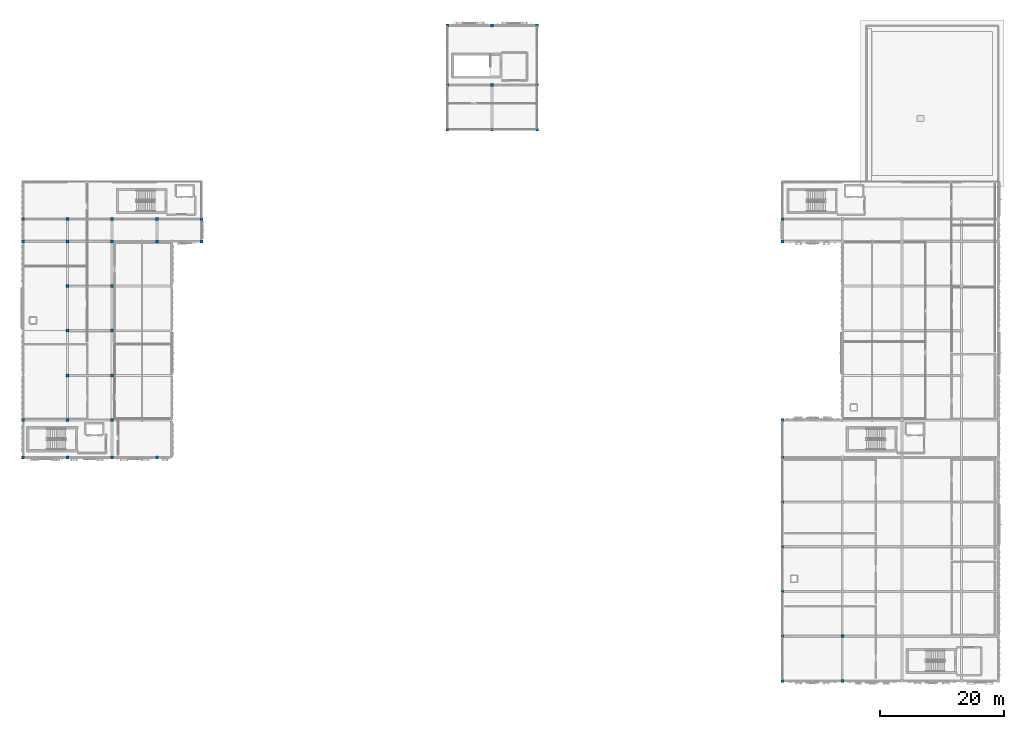
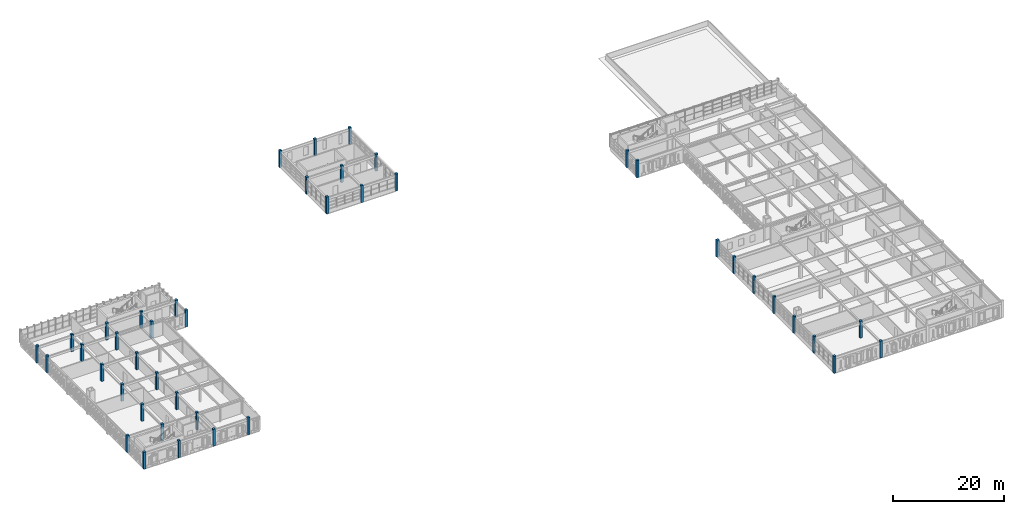
# One storey, part 1 of 53: 43 columns.
"""IFC4 building model written with IfcOpenShell, lengths in metres."""

from ifc_helpers import new_model, si_unit, direction, frame, origin, origin_2d, place, context, subcontext, project, spatial, rectangle, extrude, material, material_profile, profile_set, type_object, element, save


model = new_model("IFC4")

# Units and contexts
model_context = context("Model", 3, precision=1e-05, world=origin(), true_north=direction((0.0, 1.0)))
body_context = subcontext(model_context, "Body", "Model", "MODEL_VIEW")
ifc_project = project(units=[si_unit("LENGTHUNIT", "METRE"), si_unit("AREAUNIT", "SQUARE_METRE"), si_unit("VOLUMEUNIT", "CUBIC_METRE"), si_unit("PLANEANGLEUNIT", "RADIAN"), si_unit("MASSUNIT", "GRAM", prefix="KILO")], contexts=[model_context])

# Site, building, storey
site_placement = place(None, origin())
site = spatial("IfcSite", under=ifc_project, at=site_placement, CompositionType="ELEMENT")
building_placement = place(site_placement, origin())
building = spatial("IfcBuilding", under=site, at=building_placement, Name="Nzembalo Square Collegiate School", CompositionType="ELEMENT")
storey_placement = place(building_placement, frame((0.0, 0.0, 13.60009765625)))
storey = spatial("IfcBuildingStorey", under=building, at=storey_placement, Name="L03", CompositionType="ELEMENT", Elevation=13.60009765625)

# Columns
ifc_material = material(Name="Glulam GL28h", Category="wood")
ifc_material_profile = material_profile(ifc_material, rectangle(XDim=0.47998046875, YDim=0.47998046875, at=origin_2d()), Name="GL28h 480x480")
ifc_profile_set = profile_set([ifc_material_profile], Name="Glulam GL28h")
column_type = type_object("IfcColumnType", Name="C05", PredefinedType="COLUMN", material=ifc_profile_set)
for number, where, z_axis, x_axis, name in (
    (1, (76.800048828125, 97.199951171875, 0.0), (0.0, 0.0, 1.0), (1.0, 0.0, 0.0), "Column C05 L03 12/O"),
    (2, (76.800048828125, 104.39990234375, 0.0), (0.0, 0.0, 1.0), (1.0, 0.0, 0.0), "Column C05 L03 12/P"),
    (3, (76.800048828125, 114.0, 0.0), (0.0, 0.0, 1.0), (1.0, 0.0, 0.0), "Column C05 L03 12/Q"),
    (4, (84.0, 97.199951171875, 0.0), (0.0, 0.0, 1.0), (1.0, 0.0, 0.0), "Column C05 L03 13/O"),
    (5, (84.0, 104.39990234375, 0.0), (0.0, 0.0, 1.0), (1.0, 0.0, 0.0), "Column C05 L03 13/P"),
    (6, (84.0, 114.0, 0.0), (0.0, 0.0, 1.0), (1.0, 0.0, 0.0), "Column C05 L03 13/Q"),
    (7, (91.199951171875, 97.199951171875, 0.0), (0.0, 0.0, 1.0), (1.0, 0.0, 0.0), "Column C05 L03 14/O"),
    (8, (91.199951171875, 104.39990234375, 0.0), (0.0, 0.0, 1.0), (1.0, 0.0, 0.0), "Column C05 L03 14/P"),
    (9, (91.199951171875, 114.0, 0.0), (0.0, 0.0, 1.0), (1.0, 0.0, 0.0), "Column C05 L03 14/Q"),
    (10, (8.39990234375, 44.39990234375, 0.0), (0.0, 0.0, 1.0), (1.0, 0.0, 0.0), "Column C05 L03 2/G"),
    (11, (8.39990234375, 50.39990234375, 0.0), (0.0, 0.0, 1.0), (1.0, 0.0, 0.0), "Column C05 L03 2/H"),
    (12, (8.39990234375, 79.199951171875, 0.0), (0.0, 0.0, 1.0), (1.0, 0.0, 0.0), "Column C05 L03 2/L"),
    (13, (8.39990234375, 82.800048828125, 0.0), (0.0, 0.0, 1.0), (1.0, 0.0, 0.0), "Column C05 L03 2/M"),
    (14, (130.800048828125, 8.39990234375, 0.0), (0.0, 0.0, 1.0), (1.0, 0.0, 0.0), "Column C05 L03 20/B"),
    (15, (130.800048828125, 15.60009765625, 0.0), (0.0, 0.0, 1.0), (1.0, 0.0, 0.0), "Column C05 L03 20/C"),
    (16, (130.800048828125, 22.800048828125, 0.0), (0.0, 0.0, 1.0), (1.0, 0.0, 0.0), "Column C05 L03 20/D"),
    (17, (130.800048828125, 30.0, 0.0), (0.0, 0.0, 1.0), (1.0, 0.0, 0.0), "Column C05 L03 20/E"),
    (18, (130.800048828125, 37.199951171875, 0.0), (0.0, 0.0, 1.0), (1.0, 0.0, 0.0), "Column C05 L03 20/F"),
    (19, (130.800048828125, 44.39990234375, 0.0), (0.0, 0.0, 1.0), (1.0, 0.0, 0.0), "Column C05 L03 20/G"),
    (20, (130.800048828125, 50.39990234375, 0.0), (0.0, 0.0, 1.0), (1.0, 0.0, 0.0), "Column C05 L03 20/H"),
    (21, (130.800048828125, 79.199951171875, 0.0), (0.0, 0.0, 1.0), (1.0, 0.0, 0.0), "Column C05 L03 20/L"),
    (22, (130.800048828125, 82.800048828125, 0.0), (0.0, 0.0, 1.0), (1.0, 0.0, 0.0), "Column C05 L03 20/M"),
    (23, (140.39990234375, 8.39990234375, 0.0), (0.0, 0.0, 1.0), (1.0, 0.0, 0.0), "Column C05 L03 21/B"),
    (24, (140.39990234375, 15.60009765625, 0.0), (0.0, 0.0, 1.0), (1.0, 0.0, 0.0), "Column C05 L03 21/C"),
    (25, (15.60009765625, 44.39990234375, 0.0), (0.0, 0.0, 1.0), (1.0, 0.0, 0.0), "Column C05 L03 3/G"),
    (26, (15.60009765625, 50.39990234375, 0.0), (0.0, 0.0, 1.0), (1.0, 0.0, 0.0), "Column C05 L03 3/H"),
    (27, (15.60009765625, 57.60009765625, 0.0), (0.0, 0.0, 1.0), (1.0, 0.0, 0.0), "Column C05 L03 3/I"),
    (28, (15.60009765625, 64.800048828125, 0.0), (0.0, 0.0, 1.0), (1.0, 0.0, 0.0), "Column C05 L03 3/J"),
    (29, (15.60009765625, 72.0, 0.0), (0.0, 0.0, 1.0), (1.0, 0.0, 0.0), "Column C05 L03 3/K"),
    (30, (15.60009765625, 79.199951171875, 0.0), (0.0, 0.0, 1.0), (1.0, 0.0, 0.0), "Column C05 L03 3/L"),
    (31, (15.60009765625, 82.800048828125, 0.0), (0.0, 0.0, 1.0), (1.0, 0.0, 0.0), "Column C05 L03 3/M"),
    (32, (22.800048828125, 44.39990234375, 0.0), (0.0, 0.0, 1.0), (1.0, 0.0, 0.0), "Column C05 L03 4/G"),
    (33, (22.800048828125, 50.39990234375, 0.0), (0.0, 0.0, 1.0), (1.0, 0.0, 0.0), "Column C05 L03 4/H"),
    (34, (22.800048828125, 57.60009765625, 0.0), (0.0, 0.0, 1.0), (1.0, 0.0, 0.0), "Column C05 L03 4/I"),
    (35, (22.800048828125, 64.800048828125, 0.0), (0.0, 0.0, 1.0), (1.0, 0.0, 0.0), "Column C05 L03 4/J"),
    (36, (22.800048828125, 72.0, 0.0), (0.0, 0.0, 1.0), (1.0, 0.0, 0.0), "Column C05 L03 4/K"),
    (37, (22.800048828125, 79.199951171875, 0.0), (0.0, 0.0, 1.0), (1.0, 0.0, 0.0), "Column C05 L03 4/L"),
    (38, (22.800048828125, 82.800048828125, 0.0), (0.0, 0.0, 1.0), (1.0, 0.0, 0.0), "Column C05 L03 4/M"),
    (39, (30.0, 44.39990234375, 0.0), (0.0, 0.0, 1.0), (1.0, 0.0, 0.0), "Column C05 L03 5/G"),
    (40, (30.0, 79.199951171875, 0.0), (0.0, 0.0, 1.0), (1.0, 0.0, 0.0), "Column C05 L03 5/L"),
    (41, (30.0, 82.800048828125, 0.0), (0.0, 0.0, 1.0), (1.0, 0.0, 0.0), "Column C05 L03 5/M"),
    (42, (37.199951171875, 79.199951171875, 0.0), (0.0, 0.0, 1.0), (1.0, 0.0, 0.0), "Column C05 L03 6/L"),
    (43, (37.199951171875, 82.800048828125, 0.0), (0.0, 0.0, 1.0), (1.0, 0.0, 0.0), "Column C05 L03 6/M"),
):
    element("IfcColumn", number, at=place(storey_placement, frame(where, z_axis=z_axis, x_axis=x_axis)), inside=storey, type_object=column_type, Name=name, PredefinedType="COLUMN", context=body_context, shape_type="SweptSolid", body=[
        extrude(rectangle(XDim=0.47998046875, YDim=0.47998046875, at=origin_2d()), origin(), (0.0, 0.0, 1.0), 3.739990234375),
    ])

save(model, "model.ifc")
